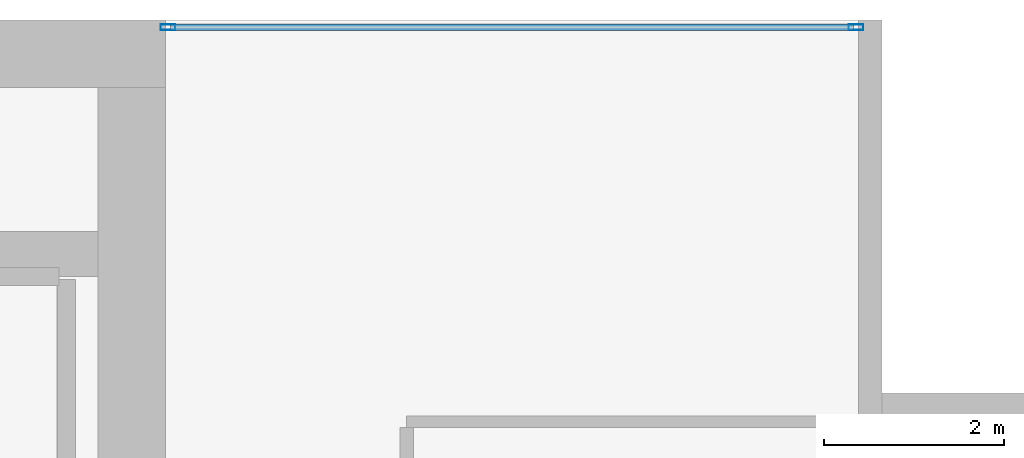
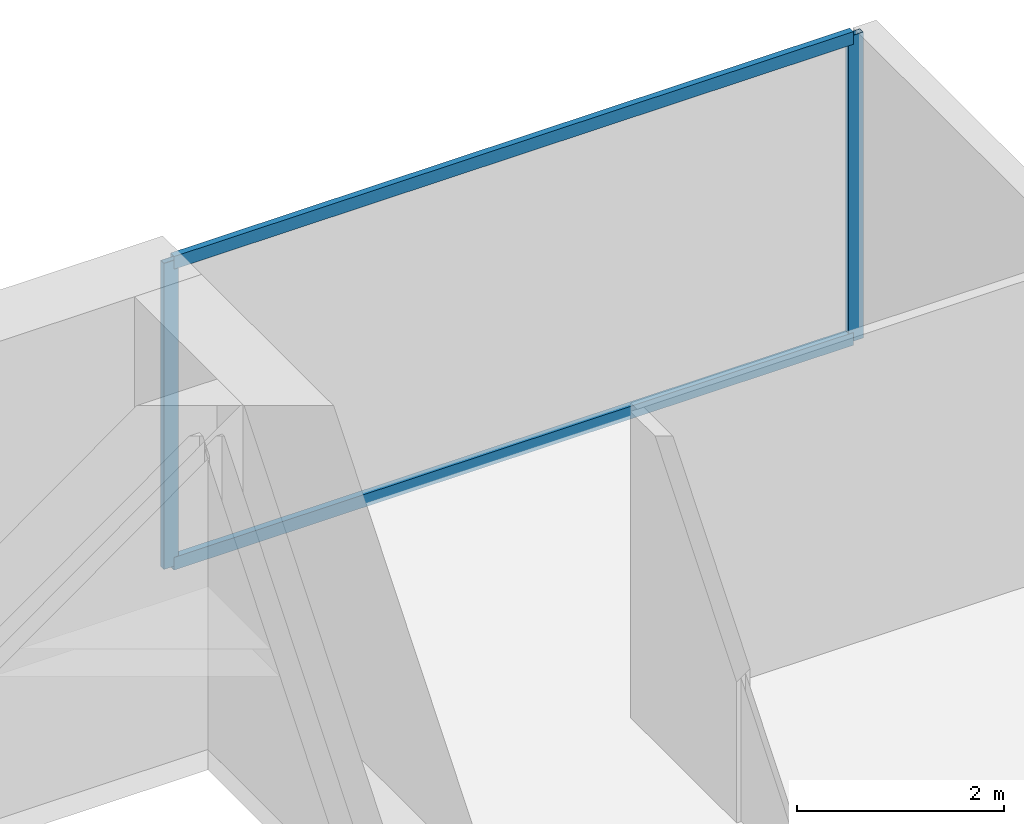
# One storey, part 25 of 33: 4 members, 1 element without a shape of its own.
"""IFC4 building model written with IfcOpenShell, lengths in metres."""

from ifc_helpers import new_model, si_unit, direction, frame, origin, origin_2d, place, context, subcontext, project, spatial, hollow_rectangle, extrude, material, layer, layer_set, material_profile, profile_set, type_object, element, aggregate, save


model = new_model("IFC4")

# Units and contexts
model_context = context("Model", 3, precision=1e-05, world=origin(), true_north=direction((0.0, 1.0)))
body_context = subcontext(model_context, "Body", "Model", "MODEL_VIEW")
ifc_project = project(units=[si_unit("LENGTHUNIT", "METRE"), si_unit("AREAUNIT", "SQUARE_METRE"), si_unit("VOLUMEUNIT", "CUBIC_METRE"), si_unit("PLANEANGLEUNIT", "RADIAN"), si_unit("MASSUNIT", "GRAM", prefix="KILO")], contexts=[model_context])

# Site, building, storey
site_placement = place(None, origin())
site = spatial("IfcSite", under=ifc_project, at=site_placement, CompositionType="ELEMENT")
building_placement = place(site_placement, origin())
building = spatial("IfcBuilding", under=site, at=building_placement, Name="Maruvema Waterfront Hotel and Observation Tower", CompositionType="ELEMENT")
storey_placement = place(building_placement, frame((0.0, 0.0, 154.35009765625)))
storey = spatial("IfcBuildingStorey", under=building, at=storey_placement, Name="L37", CompositionType="ELEMENT", Elevation=154.35009765625)

# Curtain wall, members
ifc_material_1 = material(Name="Anodised bronze aluminium and solar-control low-E IGU", Category="aluminium")
ifc_layer = layer(ifc_material_1, 0.159912109375, Name="Zone 2 Amber Inner Thermal Curtain Wall System CW-03")
ifc_layer_set = layer_set([ifc_layer], Name="Anodised bronze aluminium and solar-control low-E IGU")
curtain_wall_type = type_object("IfcCurtainWallType", Name="Zone 2 Amber Inner Thermal Curtain Wall System CW-03", PredefinedType="USERDEFINED", material=ifc_layer_set)
curtain_wall_placement = place(storey_placement, origin())
curtain_wall = element("IfcCurtainWall", 1, at=curtain_wall_placement, inside=storey, type_object=curtain_wall_type, Name="L37 Curtain Wall CW-L37-NE", ObjectType="UNITISED CURTAIN WALL", PredefinedType="USERDEFINED")
ifc_material_2 = material(Name="Anodised architectural bronze aluminium", Category="aluminium")
ifc_material_profile_1 = material_profile(ifc_material_2, hollow_rectangle(XDim=0.070068359375, YDim=0.14990234375, WallThickness=0.00390625, at=origin_2d()), Name="ALU-T70x150")
ifc_profile_set_1 = profile_set([ifc_material_profile_1], Name="Anodised architectural bronze aluminium")
member_type_1 = type_object("IfcMemberType", Name="Curtain Wall Horizontal Transom ALU-T70x150", PredefinedType="USERDEFINED", material=ifc_profile_set_1)
member_1_placement = place(storey_placement, frame((58.0400390625, 53.919921875, 0.02978515625), z_axis=(-1.0, 0.0, 0.0), x_axis=(0.0, -1.0, 0.0)))
member_1 = element("IfcMember", 2, at=member_1_placement, type_object=member_type_1, Name="CW-03 transom 1.1", ObjectType="TRANSOM", PredefinedType="USERDEFINED", context=body_context, shape_type="SweptSolid", body=[
    extrude(hollow_rectangle(XDim=0.070068359375, YDim=0.14990234375, WallThickness=0.00390625, at=origin_2d()), origin(), (0.0, 0.0, 1.0), 7.580078125),
])
member_2_placement = place(storey_placement, frame((58.0400390625, 53.919921875, 3.579833984375), z_axis=(-1.0, 0.0, 0.0), x_axis=(0.0, -1.0, 0.0)))
member_2 = element("IfcMember", 3, at=member_2_placement, type_object=member_type_1, Name="CW-03 transom 1.2", ObjectType="TRANSOM", PredefinedType="USERDEFINED", context=body_context, shape_type="SweptSolid", body=[
    extrude(hollow_rectangle(XDim=0.070068359375, YDim=0.14990234375, WallThickness=0.00390625, at=origin_2d()), origin(), (0.0, 0.0, 1.0), 7.580078125),
])
ifc_material_3 = material(Name="Anodised architectural bronze aluminium", Category="aluminium")
ifc_material_profile_2 = material_profile(ifc_material_3, hollow_rectangle(XDim=0.06494140625, YDim=0.1650390625, WallThickness=0.00390625, at=origin_2d()), Name="ALU-M65x165")
ifc_profile_set_2 = profile_set([ifc_material_profile_2], Name="Anodised architectural bronze aluminium")
member_type_2 = type_object("IfcMemberType", Name="Curtain Wall Primary Mullion ALU-M65x165", PredefinedType="MULLION", material=ifc_profile_set_2)
member_3_placement = place(storey_placement, frame((58.070068359375, 53.919921875, 0.0), z_axis=(0.0, 0.0, 1.0), x_axis=(0.0, -1.0, 0.0)))
member_3 = element("IfcMember", 4, at=member_3_placement, type_object=member_type_2, Name="CW-03 mullion 1", PredefinedType="MULLION", context=body_context, shape_type="SweptSolid", body=[
    extrude(hollow_rectangle(XDim=0.06494140625, YDim=0.1650390625, WallThickness=0.00390625, at=origin_2d()), origin(), (0.0, 0.0, 1.0), 3.60986328125),
])
member_4_placement = place(storey_placement, frame((50.429931640625, 53.919921875, 0.0), z_axis=(0.0, 0.0, 1.0), x_axis=(0.0, -1.0, 0.0)))
member_4 = element("IfcMember", 5, at=member_4_placement, type_object=member_type_2, Name="CW-03 mullion 2", PredefinedType="MULLION", context=body_context, shape_type="SweptSolid", body=[
    extrude(hollow_rectangle(XDim=0.06494140625, YDim=0.1650390625, WallThickness=0.00390625, at=origin_2d()), origin(), (0.0, 0.0, 1.0), 3.60986328125),
])
aggregate(curtain_wall, [member_3, member_4, member_1, member_2])

save(model, "model.ifc")
